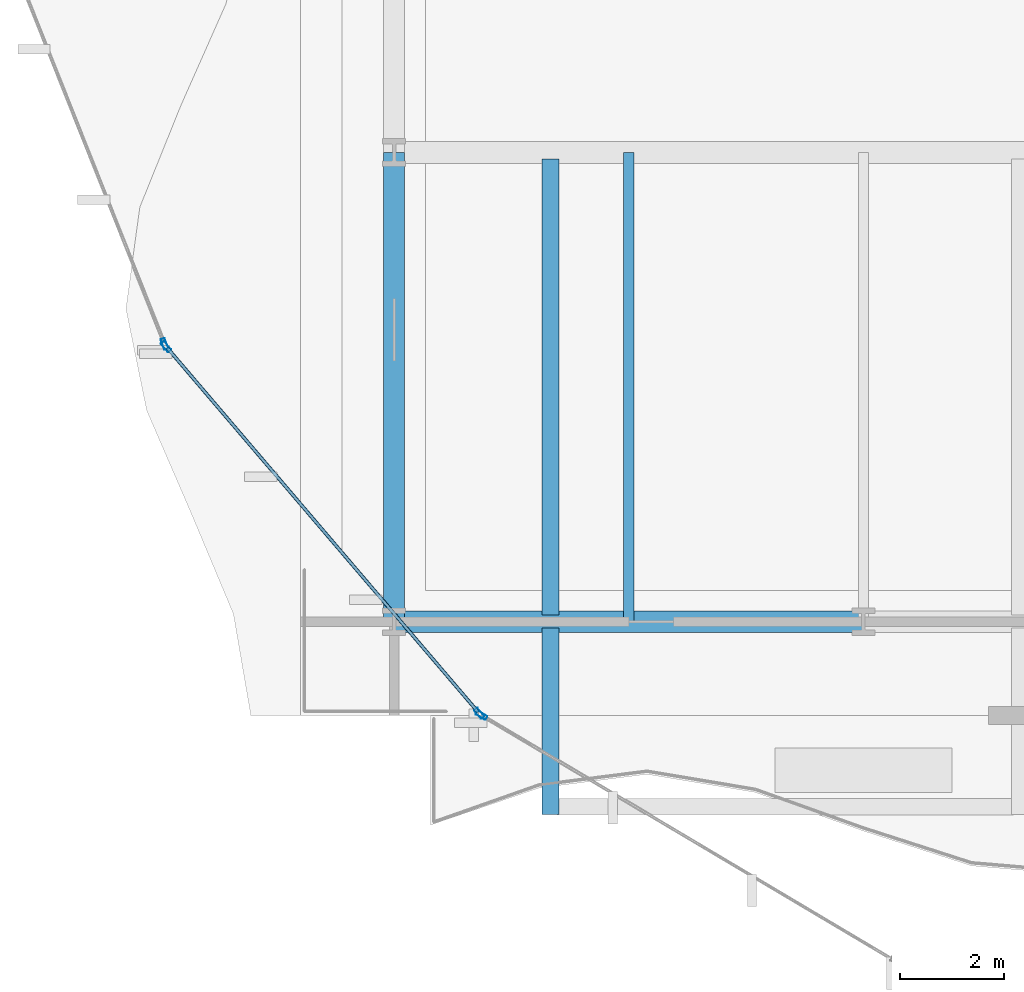
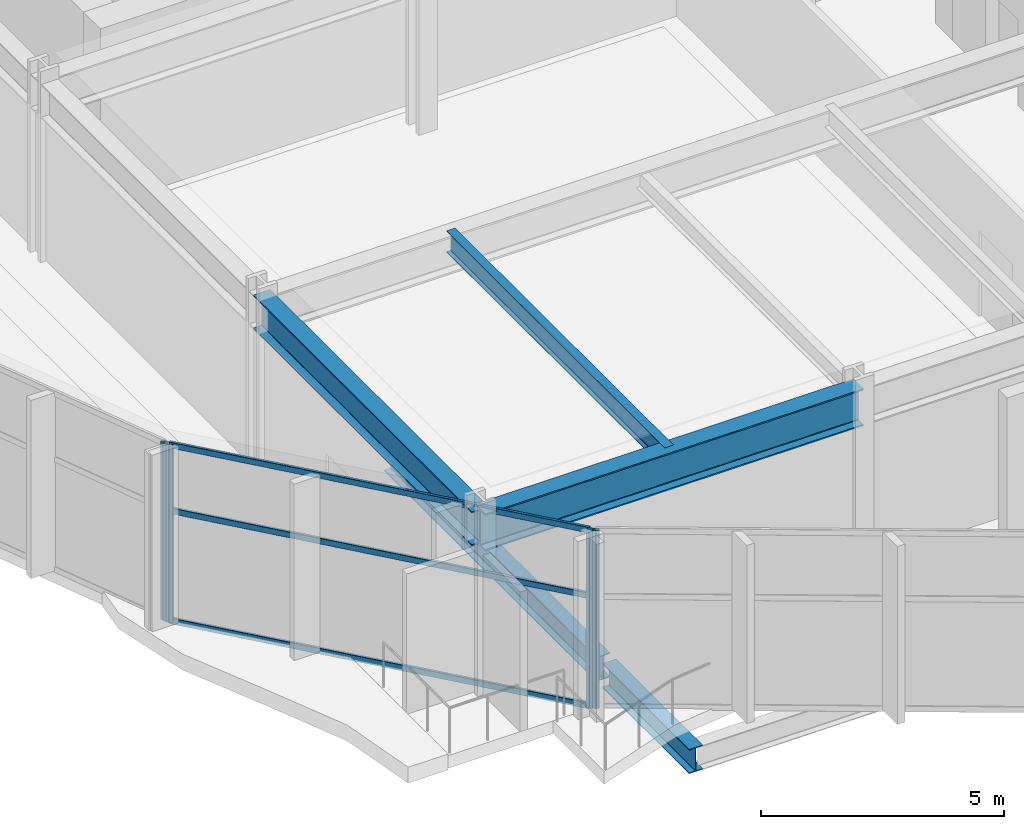
# One storey, part 2 of 29: 7 members, 5 beams, 3 elements without a shape of their own.
"""IFC4 building model written with IfcOpenShell, lengths in metres."""

from ifc_helpers import new_model, si_unit, direction, frame, origin, origin_2d, place, context, subcontext, project, spatial, hollow_rectangle, i_section, extrude, material, layer, layer_set, material_profile, profile_set, type_object, element, aggregate, save


model = new_model("IFC4")

# Units and contexts
model_context = context("Model", 3, precision=1e-05, world=origin(), true_north=direction((0.0, 1.0)))
body_context = subcontext(model_context, "Body", "Model", "MODEL_VIEW")
ifc_project = project(units=[si_unit("LENGTHUNIT", "METRE"), si_unit("AREAUNIT", "SQUARE_METRE"), si_unit("VOLUMEUNIT", "CUBIC_METRE"), si_unit("PLANEANGLEUNIT", "RADIAN"), si_unit("MASSUNIT", "GRAM", prefix="KILO")], contexts=[model_context])

# Site, building, storey
site_placement = place(None, origin())
site = spatial("IfcSite", under=ifc_project, at=site_placement, CompositionType="ELEMENT")
building_placement = place(site_placement, origin())
building = spatial("IfcBuilding", under=site, at=building_placement, Name="Solvaryn Broadcast Tower", CompositionType="ELEMENT")
storey_placement = place(building_placement, frame((0.0, 0.0, 21.199951171875)))
storey = spatial("IfcBuildingStorey", under=building, at=storey_placement, Name="L04", CompositionType="ELEMENT", Elevation=21.199951171875)

# Beams
ifc_material_1 = material(Name="Steel ASTM A992 Grade 50", Category="steel")
ifc_material_profile_1 = material_profile(ifc_material_1, i_section(OverallWidth=0.323974609375, OverallDepth=0.611083984375, WebThickness=0.0126953125, FlangeThickness=0.01904296875, FilletRadius=0.014892578125, at=origin_2d()))
ifc_profile_set_1 = profile_set([ifc_material_profile_1], Name="Steel ASTM A992 Grade 50")
beam_type_1 = type_object("IfcBeamType", Name="BM-B1-W24X104", PredefinedType="BEAM", material=ifc_profile_set_1)
beam_1_placement = place(storey_placement, frame((12.0, 17.875, -0.62548828125), z_axis=(0.0, -1.0, 0.0), x_axis=(1.0, 0.0, 0.0)))
element("IfcBeam", 1, at=beam_1_placement, inside=storey, type_object=beam_type_1, Name="L04 Terrace Back-Span Beam X12.0", PredefinedType="BEAM", context=body_context, shape_type="SweptSolid", body=[
    extrude(i_section(OverallWidth=0.323974609375, OverallDepth=0.611083984375, WebThickness=0.0126953125, FlangeThickness=0.01904296875, FilletRadius=0.014892578125, at=origin_2d()), origin(), (0.0, 0.0, 1.0), 8.75),
])
ifc_material_2 = material(Name="Steel ASTM A992 Grade 50", Category="steel")
ifc_material_profile_2 = material_profile(ifc_material_2, i_section(OverallWidth=0.208984375, OverallDepth=0.532958984375, WebThickness=0.01025390625, FlangeThickness=0.015625, FilletRadius=0.013916015625, at=origin_2d()))
ifc_profile_set_2 = profile_set([ifc_material_profile_2], Name="Steel ASTM A992 Grade 50")
beam_type_2 = type_object("IfcBeamType", Name="BM-B3-W21X62", PredefinedType="BEAM", material=ifc_profile_set_2)
beam_2_placement = place(storey_placement, frame((13.5, 9.0, 4.213623046875), z_axis=(0.0, 1.0, 0.0), x_axis=(-1.0, 0.0, 0.0)))
element("IfcBeam", 2, at=beam_2_placement, inside=storey, type_object=beam_type_2, Name="L04 Studio Rigging Beam 1", PredefinedType="BEAM", context=body_context, shape_type="SweptSolid", body=[
    extrude(i_section(OverallWidth=0.208984375, OverallDepth=0.532958984375, WebThickness=0.01025390625, FlangeThickness=0.015625, FilletRadius=0.013916015625, at=origin_2d()), origin(), (0.0, 0.0, 1.0), 9.0),
])
ifc_material_3 = material(Name="Steel ASTM A992 Grade 50", Category="steel")
ifc_material_profile_3 = material_profile(ifc_material_3, i_section(OverallWidth=0.323974609375, OverallDepth=0.611083984375, WebThickness=0.0126953125, FlangeThickness=0.01904296875, FilletRadius=0.014892578125, at=origin_2d()))
ifc_profile_set_3 = profile_set([ifc_material_profile_3], Name="Steel ASTM A992 Grade 50")
beam_type_3 = type_object("IfcBeamType", Name="BM-CANT-TER", PredefinedType="BEAM", material=ifc_profile_set_3)
beam_3_placement = place(storey_placement, frame((12.0, 8.875, -0.62548828125), z_axis=(0.0, -1.0, 0.0), x_axis=(1.0, 0.0, 0.0)))
element("IfcBeam", 3, at=beam_3_placement, inside=storey, type_object=beam_type_3, Name="L04 Terrace Cantilever Beam X12.0", PredefinedType="BEAM", context=body_context, shape_type="SweptSolid", body=[
    extrude(i_section(OverallWidth=0.323974609375, OverallDepth=0.611083984375, WebThickness=0.0126953125, FlangeThickness=0.01904296875, FilletRadius=0.014892578125, at=origin_2d()), origin(), (0.0, 0.0, 1.0), 3.574951171875),
])
ifc_material_4 = material(Name="Steel ASTM A992 Grade 50", Category="steel")
ifc_material_profile_4 = material_profile(ifc_material_4, i_section(OverallWidth=0.41796875, OverallDepth=0.927001953125, WebThickness=0.019287109375, FlangeThickness=0.031982421875, FilletRadius=0.02392578125, at=origin_2d()))
ifc_profile_set_4 = profile_set([ifc_material_profile_4], Name="Steel ASTM A992 Grade 50")
beam_type_4 = type_object("IfcBeamType", Name="BM-G2-W36X231", PredefinedType="BEAM", material=ifc_profile_set_4)
beam_4_placement = place(storey_placement, frame((9.0, 9.0, 4.0166015625), z_axis=(1.0, 0.0, 0.0), x_axis=(0.0, 1.0, 0.0)))
element("IfcBeam", 4, at=beam_4_placement, inside=storey, type_object=beam_type_4, Name="L04 Primary Beam X (9-18 @ Y=9)", PredefinedType="BEAM", context=body_context, shape_type="SweptSolid", body=[
    extrude(i_section(OverallWidth=0.41796875, OverallDepth=0.927001953125, WebThickness=0.019287109375, FlangeThickness=0.031982421875, FilletRadius=0.02392578125, at=origin_2d()), origin(), (0.0, 0.0, 1.0), 9.0),
])
ifc_material_5 = material(Name="Steel ASTM A992 Grade 50", Category="steel")
ifc_material_profile_5 = material_profile(ifc_material_5, i_section(OverallWidth=0.39990234375, OverallDepth=0.85498046875, WebThickness=0.018310546875, FlangeThickness=0.029296875, FilletRadius=0.02001953125, at=origin_2d()))
ifc_profile_set_5 = profile_set([ifc_material_profile_5], Name="Steel ASTM A992 Grade 50")
beam_type_5 = type_object("IfcBeamType", Name="BM-G3-W33X201", PredefinedType="BEAM", material=ifc_profile_set_5)
beam_5_placement = place(storey_placement, frame((9.0, 9.0, 4.052490234375), z_axis=(0.0, 1.0, 0.0), x_axis=(-1.0, 0.0, 0.0)))
element("IfcBeam", 5, at=beam_5_placement, inside=storey, type_object=beam_type_5, Name="L04 Primary Beam Y (9-18 @ X=9)", PredefinedType="BEAM", context=body_context, shape_type="SweptSolid", body=[
    extrude(i_section(OverallWidth=0.39990234375, OverallDepth=0.85498046875, WebThickness=0.018310546875, FlangeThickness=0.029296875, FilletRadius=0.02001953125, at=origin_2d()), origin(), (0.0, 0.0, 1.0), 9.0),
])

# Curtain wall, member
ifc_material_6 = material(Name="Aluminium and Terracotta Unitised Curtain Wall", Category="masonry")
ifc_layer = layer(ifc_material_6, 0.219970703125)
ifc_layer_set = layer_set([ifc_layer], Name="CW-SYS1-PODIUM")
curtain_wall_type = type_object("IfcCurtainWallType", Name="CW-SYS1-PODIUM", PredefinedType="NOTDEFINED", material=ifc_layer_set)
curtain_wall_1_placement = place(storey_placement, origin())
curtain_wall_1 = element("IfcCurtainWall", 6, at=curtain_wall_1_placement, inside=storey, type_object=curtain_wall_type, Name="L04 Podium Curtain Wall DC2", PredefinedType="NOTDEFINED")
ifc_material_7 = material(Name="Anodised Aluminium 6063-T6", Category="aluminium")
ifc_material_profile_6 = material_profile(ifc_material_7, hollow_rectangle(XDim=0.0849609375, YDim=0.219970703125, WallThickness=0.0048828125, InnerFilletRadius=0.0048828125, OuterFilletRadius=0.010009765625, at=origin_2d()))
ifc_profile_set_6 = profile_set([ifc_material_profile_6], Name="Anodised Aluminium 6063-T6")
member_type_1 = type_object("IfcMemberType", Name="CW-MUL-220", PredefinedType="MULLION", material=ifc_profile_set_6)
member_1_placement = place(storey_placement, frame((4.596923828125, 14.325927734375, 0.0), z_axis=(0.0, 0.0, 1.0), x_axis=(0.92928945897, 0.369352272833, 0.0)))
member_1 = element("IfcMember", 7, at=member_1_placement, type_object=member_type_1, Name="CWS1 mullion 2", PredefinedType="MULLION", context=body_context, shape_type="SweptSolid", body=[
    extrude(hollow_rectangle(XDim=0.0849609375, YDim=0.219970703125, WallThickness=0.0048828125, InnerFilletRadius=0.0048828125, OuterFilletRadius=0.010009765625, at=origin_2d()), origin(), (0.0, 0.0, 1.0), 4.47998046875),
])
aggregate(curtain_wall_1, [member_1])

# Curtain wall, members
curtain_wall_2_placement = place(storey_placement, origin())
curtain_wall_2 = element("IfcCurtainWall", 8, at=curtain_wall_2_placement, inside=storey, type_object=curtain_wall_type, Name="L04 Podium Curtain Wall DC3", PredefinedType="NOTDEFINED")
member_2_placement = place(storey_placement, frame((4.62744140625, 14.275146484375, 0.0), z_axis=(0.0, 0.0, 1.0), x_axis=(0.760567090224, 0.649259348233, 0.0)))
member_2 = element("IfcMember", 9, at=member_2_placement, type_object=member_type_1, Name="CWS1 mullion 1", PredefinedType="MULLION", context=body_context, shape_type="SweptSolid", body=[
    extrude(hollow_rectangle(XDim=0.0849609375, YDim=0.219970703125, WallThickness=0.0048828125, InnerFilletRadius=0.0048828125, OuterFilletRadius=0.010009765625, at=origin_2d()), origin(), (0.0, 0.0, 1.0), 4.47998046875),
])
member_3_placement = place(storey_placement, frame((10.631591796875, 7.24169921875, 0.0), z_axis=(0.0, 0.0, 1.0), x_axis=(0.760567090224, 0.649259348233, 0.0)))
member_3 = element("IfcMember", 10, at=member_3_placement, type_object=member_type_1, Name="CWS1 mullion 2", PredefinedType="MULLION", context=body_context, shape_type="SweptSolid", body=[
    extrude(hollow_rectangle(XDim=0.0849609375, YDim=0.219970703125, WallThickness=0.0048828125, InnerFilletRadius=0.0048828125, OuterFilletRadius=0.010009765625, at=origin_2d()), origin(), (0.0, 0.0, 1.0), 4.47998046875),
])

# Curtain wall, member
curtain_wall_3_placement = place(storey_placement, origin())
curtain_wall_3 = element("IfcCurtainWall", 11, at=curtain_wall_3_placement, inside=storey, type_object=curtain_wall_type, Name="L04 Podium Curtain Wall DC4", PredefinedType="NOTDEFINED")
member_4_placement = place(storey_placement, frame((10.6767578125, 7.20361328125, 0.0), z_axis=(0.0, 0.0, 1.0), x_axis=(0.510635558204, 0.859797259066, 0.0)))
member_4 = element("IfcMember", 12, at=member_4_placement, type_object=member_type_1, Name="CWS1 mullion 1", PredefinedType="MULLION", context=body_context, shape_type="SweptSolid", body=[
    extrude(hollow_rectangle(XDim=0.0849609375, YDim=0.219970703125, WallThickness=0.0048828125, InnerFilletRadius=0.0048828125, OuterFilletRadius=0.010009765625, at=origin_2d()), origin(), (0.0, 0.0, 1.0), 4.47998046875),
])
aggregate(curtain_wall_3, [member_4])

# Member
ifc_material_8 = material(Name="Anodised Aluminium 6063-T6", Category="aluminium")
ifc_material_profile_7 = material_profile(ifc_material_8, hollow_rectangle(XDim=0.06494140625, YDim=0.14990234375, WallThickness=0.00390625, InnerFilletRadius=0.00390625, OuterFilletRadius=0.008056640625, at=origin_2d()))
ifc_profile_set_7 = profile_set([ifc_material_profile_7], Name="Anodised Aluminium 6063-T6")
member_type_2 = type_object("IfcMemberType", Name="CW-TRN-150", PredefinedType="USERDEFINED", material=ifc_profile_set_7)
member_5_placement = place(storey_placement, frame((4.64697265625, 14.25244140625, 0.030029296875), z_axis=(0.64925600643, -0.760569942947, 0.0), x_axis=(0.760569942947, 0.64925600643, 0.0)))
member_5 = element("IfcMember", 13, at=member_5_placement, type_object=member_type_2, Name="CWS1 transom 1.1", ObjectType="TRANSOM", PredefinedType="USERDEFINED", context=body_context, shape_type="SweptSolid", body=[
    extrude(hollow_rectangle(XDim=0.06494140625, YDim=0.14990234375, WallThickness=0.00390625, InnerFilletRadius=0.00390625, OuterFilletRadius=0.008056640625, at=origin_2d()), origin(), (0.0, 0.0, 1.0), 9.1875),
])

member_6_placement = place(storey_placement, frame((4.64697265625, 14.25244140625, 2.800048828125), z_axis=(0.64925600643, -0.760569942947, 0.0), x_axis=(0.760569942947, 0.64925600643, 0.0)))
member_6 = element("IfcMember", 14, at=member_6_placement, type_object=member_type_2, Name="CWS1 transom 1.2", ObjectType="TRANSOM", PredefinedType="USERDEFINED", context=body_context, shape_type="SweptSolid", body=[
    extrude(hollow_rectangle(XDim=0.06494140625, YDim=0.14990234375, WallThickness=0.00390625, InnerFilletRadius=0.00390625, OuterFilletRadius=0.008056640625, at=origin_2d()), origin(), (0.0, 0.0, 1.0), 9.1875),
])

member_7_placement = place(storey_placement, frame((4.64697265625, 14.25244140625, 4.449951171875), z_axis=(0.64925600643, -0.760569942947, 0.0), x_axis=(0.760569942947, 0.64925600643, 0.0)))
member_7 = element("IfcMember", 15, at=member_7_placement, type_object=member_type_2, Name="CWS1 transom 1.3", ObjectType="TRANSOM", PredefinedType="USERDEFINED", context=body_context, shape_type="SweptSolid", body=[
    extrude(hollow_rectangle(XDim=0.06494140625, YDim=0.14990234375, WallThickness=0.00390625, InnerFilletRadius=0.00390625, OuterFilletRadius=0.008056640625, at=origin_2d()), origin(), (0.0, 0.0, 1.0), 9.1875),
])

aggregate(curtain_wall_2, [member_2, member_3, member_5, member_6, member_7])

save(model, "model.ifc")
